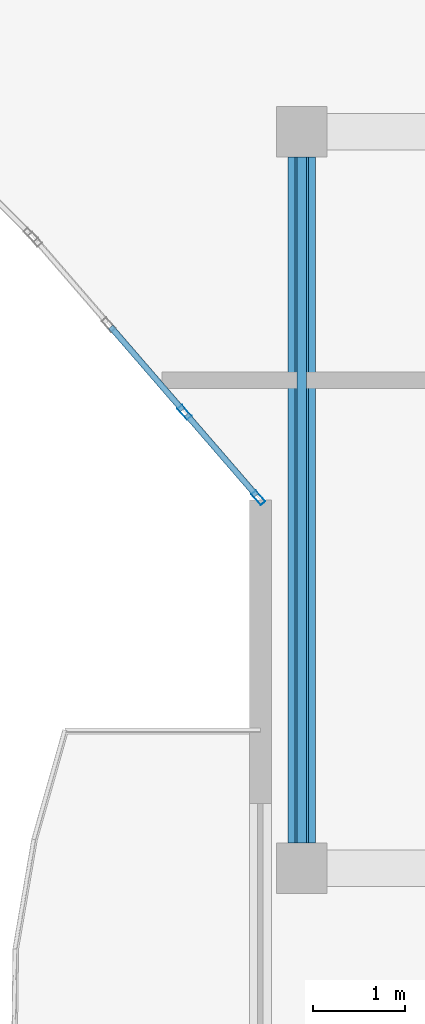
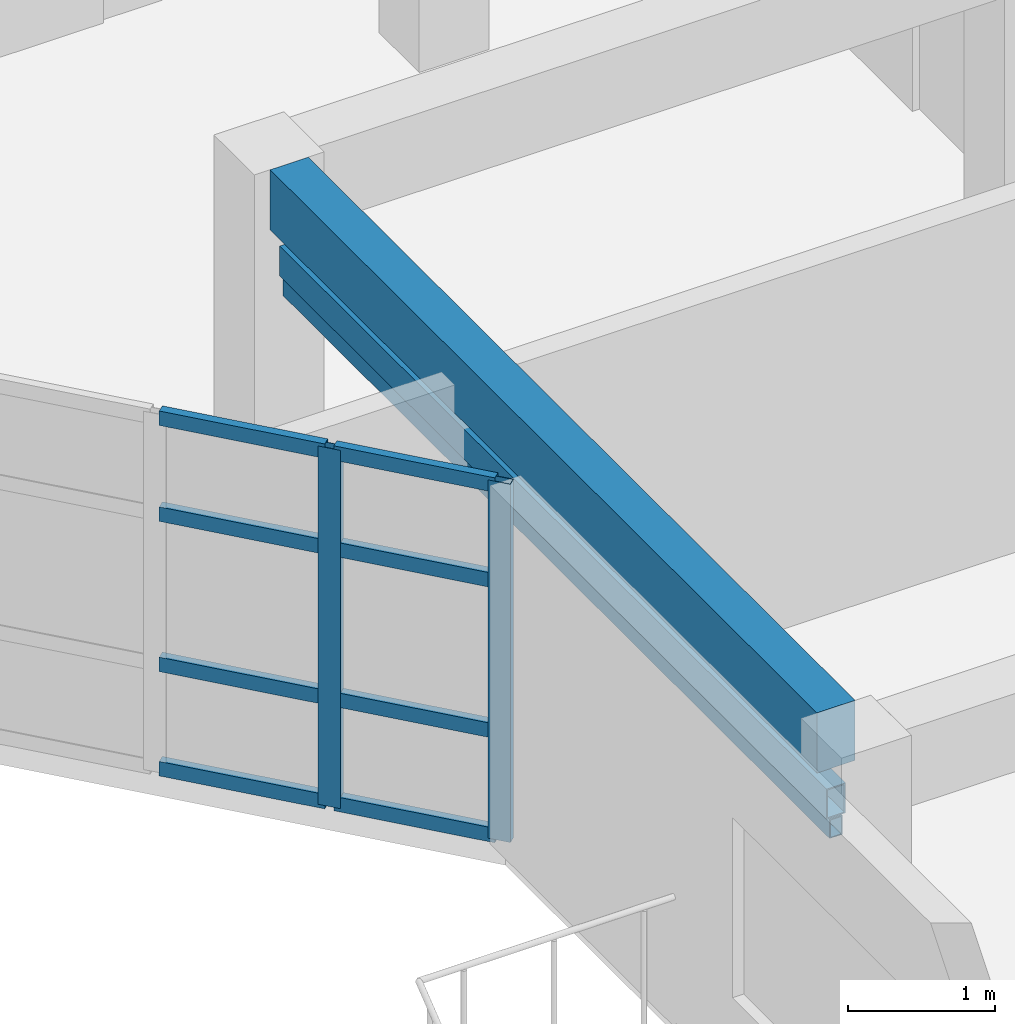
# One storey, part 11 of 68: 12 members, 1 beam, 1 element without a shape of its own.
"""IFC4 building model written with IfcOpenShell, lengths in metres."""

from ifc_helpers import new_model, si_unit, direction, frame, origin, origin_2d, place, context, subcontext, project, spatial, rectangle, hollow_rectangle, extrude, material, layer, layer_set, material_profile, profile_set, type_object, element, aggregate, save


model = new_model("IFC4")

# Units and contexts
model_context = context("Model", 3, precision=1e-05, world=origin(), true_north=direction((0.0, 1.0)))
body_context = subcontext(model_context, "Body", "Model", "MODEL_VIEW")
ifc_project = project(units=[si_unit("LENGTHUNIT", "METRE"), si_unit("AREAUNIT", "SQUARE_METRE"), si_unit("VOLUMEUNIT", "CUBIC_METRE"), si_unit("PLANEANGLEUNIT", "RADIAN"), si_unit("MASSUNIT", "GRAM", prefix="KILO")], contexts=[model_context])

# Site, building, storey
site_placement = place(None, origin())
site = spatial("IfcSite", under=ifc_project, at=site_placement, CompositionType="ELEMENT")
building_placement = place(site_placement, origin())
building = spatial("IfcBuilding", under=site, at=building_placement, Name="Keldmere Railside Commons", CompositionType="ELEMENT")
storey_placement = place(building_placement, frame((0.0, 0.0, 23.360107421875)))
storey = spatial("IfcBuildingStorey", under=building, at=storey_placement, Name="L07", CompositionType="ELEMENT", Elevation=23.360107421875)

# Member
ifc_material_1 = material(Name="Steel F-36 (S355)", Category="steel")
ifc_material_profile_1 = material_profile(ifc_material_1, hollow_rectangle(XDim=0.14990234375, YDim=0.25, WallThickness=0.010009765625, at=origin_2d()), Name="RHS-250x150x10")
ifc_profile_set_1 = profile_set([ifc_material_profile_1], Name="Steel F-36 (S355)")
member_type_1 = type_object("IfcMemberType", Name="Balcony Continuous Planted Trough RHS250x150", PredefinedType="CHORD", material=ifc_profile_set_1)
member_1_placement = place(storey_placement, frame((104.449951171875, 88.27490234375, 2.414794921875), z_axis=(0.0, 1.0, 0.0), x_axis=(-1.0, 0.0, 0.0)))
element("IfcMember", 1, at=member_1_placement, inside=storey, type_object=member_type_1, Name="PLT-1 MEM-BPLT-0827", PredefinedType="CHORD", context=body_context, shape_type="SweptSolid", body=[
    extrude(hollow_rectangle(XDim=0.14990234375, YDim=0.25, WallThickness=0.010009765625, at=origin_2d()), origin(), (0.0, 0.0, 1.0), 7.4501953125),
])

# Beam
ifc_material_2 = material(Name="Concrete H-30 (C30/37)", Category="concrete")
ifc_material_profile_2 = material_profile(ifc_material_2, rectangle(XDim=0.300048828125, YDim=0.5, at=origin_2d()), Name="RC-300x500")
ifc_profile_set_2 = profile_set([ifc_material_profile_2], Name="Concrete H-30 (C30/37)")
beam_type = type_object("IfcBeamType", Name="Secondary Frame RC Beam 300x500", PredefinedType="BEAM", material=ifc_profile_set_2)
beam_placement = place(storey_placement, frame((104.449951171875, 88.27490234375, 2.949951171875), z_axis=(0.0, 1.0, 0.0), x_axis=(-1.0, 0.0, 0.0)))
element("IfcBeam", 2, at=beam_placement, inside=storey, type_object=beam_type, Name="BG-5 BM-L07-2122", PredefinedType="BEAM", context=body_context, shape_type="SweptSolid", body=[
    extrude(rectangle(XDim=0.300048828125, YDim=0.5, at=origin_2d()), origin(), (0.0, 0.0, 1.0), 7.4501953125),
])

# Member
ifc_material_profile_3 = material_profile(ifc_material_1, hollow_rectangle(XDim=0.10009765625, YDim=0.159912109375, WallThickness=0.008056640625, at=origin_2d()), Name="RHS-160x100x8")
ifc_profile_set_3 = profile_set([ifc_material_profile_3], Name="Steel F-36 (S355)")
member_type_2 = type_object("IfcMemberType", Name="Solar Brise-Soleil Louvre Fin RHS160x100", PredefinedType="STRUT", material=ifc_profile_set_3)
member_2_placement = place(storey_placement, frame((104.449951171875, 88.27490234375, 2.199951171875), z_axis=(0.0, 1.0, 0.0), x_axis=(-1.0, 0.0, 0.0)))
element("IfcMember", 3, at=member_2_placement, inside=storey, type_object=member_type_2, Name="BSF-1 MEM-BSF-0828", PredefinedType="STRUT", context=body_context, shape_type="SweptSolid", body=[
    extrude(hollow_rectangle(XDim=0.10009765625, YDim=0.159912109375, WallThickness=0.008056640625, at=origin_2d()), origin(), (0.0, 0.0, 1.0), 7.4501953125),
])

# Curtain wall, members
ifc_material_3 = material(Name="Thermally Broken Aluminium", Category="aluminium")
ifc_layer = layer(ifc_material_3, 0.159912109375, Name="Court Chord Wintergarden CW 4800x2850")
ifc_layer_set = layer_set([ifc_layer], Name="Thermally Broken Aluminium")
curtain_wall_type = type_object("IfcCurtainWallType", Name="Court Chord Wintergarden CW 4800x2850", PredefinedType="NOTDEFINED", material=ifc_layer_set)
curtain_wall_placement = place(storey_placement, origin())
curtain_wall = element("IfcCurtainWall", 4, at=curtain_wall_placement, inside=storey, type_object=curtain_wall_type, Name="CW-12 CW-L07-132", PredefinedType="NOTDEFINED")
ifc_material_profile_4 = material_profile(ifc_material_3, hollow_rectangle(XDim=0.06494140625, YDim=0.159912109375, WallThickness=0.00390625, at=origin_2d()), Name="ALU-MULL-65x160")
ifc_profile_set_4 = profile_set([ifc_material_profile_4], Name="Thermally Broken Aluminium")
member_type_3 = type_object("IfcMemberType", Name="Unitised Curtain Wall Mullion 65x160", PredefinedType="MULLION", material=ifc_profile_set_4)
member_3_placement = place(storey_placement, frame((103.978759765625, 92.024658203125, 0.0), z_axis=(0.0, 0.0, 1.0), x_axis=(-0.756596767584, -0.653881741053, 0.0)))
member_3 = element("IfcMember", 5, at=member_3_placement, type_object=member_type_3, Name="CW-12 mullion 1", PredefinedType="MULLION", context=body_context, shape_type="SweptSolid", body=[
    extrude(hollow_rectangle(XDim=0.06494140625, YDim=0.159912109375, WallThickness=0.00390625, at=origin_2d()), origin(), (0.0, 0.0, 1.0), 2.97998046875),
])
member_4_placement = place(storey_placement, frame((103.1767578125, 92.95263671875, 0.0), z_axis=(0.0, 0.0, 1.0), x_axis=(-0.756596767584, -0.653881741053, 0.0)))
member_4 = element("IfcMember", 6, at=member_4_placement, type_object=member_type_3, Name="CW-12 mullion 2", PredefinedType="MULLION", context=body_context, shape_type="SweptSolid", body=[
    extrude(hollow_rectangle(XDim=0.06494140625, YDim=0.159912109375, WallThickness=0.00390625, at=origin_2d()), origin(), (0.0, 0.0, 1.0), 2.97998046875),
])
ifc_material_profile_5 = material_profile(ifc_material_3, hollow_rectangle(XDim=0.06494140625, YDim=0.1201171875, WallThickness=0.00390625, at=origin_2d()), Name="ALU-TRAN-65x120")
ifc_profile_set_5 = profile_set([ifc_material_profile_5], Name="Thermally Broken Aluminium")
member_type_4 = type_object("IfcMemberType", Name="Unitised Curtain Wall Transom 65x120", PredefinedType="USERDEFINED", material=ifc_profile_set_5)
member_5_placement = place(storey_placement, frame((103.95751953125, 92.049072265625, 0.032470703125), z_axis=(-0.653849663033, 0.756624489527, 0.0), x_axis=(-0.756624489527, -0.653849663033, 0.0)))
member_5 = element("IfcMember", 7, at=member_5_placement, type_object=member_type_4, Name="CW-12 transom 1.1", ObjectType="TRANSOM", PredefinedType="USERDEFINED", context=body_context, shape_type="SweptSolid", body=[
    extrude(hollow_rectangle(XDim=0.06494140625, YDim=0.1201171875, WallThickness=0.00390625, at=origin_2d()), origin(), (0.0, 0.0, 1.0), 1.16162109375),
])
member_6_placement = place(storey_placement, frame((103.95751953125, 92.049072265625, 0.89990234375), z_axis=(-0.653849663033, 0.756624489527, 0.0), x_axis=(-0.756624489527, -0.653849663033, 0.0)))
member_6 = element("IfcMember", 8, at=member_6_placement, type_object=member_type_4, Name="CW-12 transom 1.2", ObjectType="TRANSOM", PredefinedType="USERDEFINED", context=body_context, shape_type="SweptSolid", body=[
    extrude(hollow_rectangle(XDim=0.06494140625, YDim=0.1201171875, WallThickness=0.00390625, at=origin_2d()), origin(), (0.0, 0.0, 1.0), 1.16162109375),
])
member_7_placement = place(storey_placement, frame((103.95751953125, 92.049072265625, 2.14990234375), z_axis=(-0.653849663033, 0.756624489527, 0.0), x_axis=(-0.756624489527, -0.653849663033, 0.0)))
member_7 = element("IfcMember", 9, at=member_7_placement, type_object=member_type_4, Name="CW-12 transom 1.3", ObjectType="TRANSOM", PredefinedType="USERDEFINED", context=body_context, shape_type="SweptSolid", body=[
    extrude(hollow_rectangle(XDim=0.06494140625, YDim=0.1201171875, WallThickness=0.00390625, at=origin_2d()), origin(), (0.0, 0.0, 1.0), 1.16162109375),
])
member_8_placement = place(storey_placement, frame((103.95751953125, 92.049072265625, 2.947509765625), z_axis=(-0.653849663033, 0.756624489527, 0.0), x_axis=(-0.756624489527, -0.653849663033, 0.0)))
member_8 = element("IfcMember", 10, at=member_8_placement, type_object=member_type_4, Name="CW-12 transom 1.4", ObjectType="TRANSOM", PredefinedType="USERDEFINED", context=body_context, shape_type="SweptSolid", body=[
    extrude(hollow_rectangle(XDim=0.06494140625, YDim=0.1201171875, WallThickness=0.00390625, at=origin_2d()), origin(), (0.0, 0.0, 1.0), 1.16162109375),
])
member_9_placement = place(storey_placement, frame((103.155517578125, 92.977294921875, 0.032470703125), z_axis=(-0.653933819796, 0.756551755881, 0.0), x_axis=(-0.756551755881, -0.653933819796, 0.0)))
member_9 = element("IfcMember", 11, at=member_9_placement, type_object=member_type_4, Name="CW-12 transom 2.1", ObjectType="TRANSOM", PredefinedType="USERDEFINED", context=body_context, shape_type="SweptSolid", body=[
    extrude(hollow_rectangle(XDim=0.06494140625, YDim=0.1201171875, WallThickness=0.00390625, at=origin_2d()), origin(), (0.0, 0.0, 1.0), 1.1943359375),
])
member_10_placement = place(storey_placement, frame((103.155517578125, 92.977294921875, 0.89990234375), z_axis=(-0.653933819796, 0.756551755881, 0.0), x_axis=(-0.756551755881, -0.653933819796, 0.0)))
member_10 = element("IfcMember", 12, at=member_10_placement, type_object=member_type_4, Name="CW-12 transom 2.2", ObjectType="TRANSOM", PredefinedType="USERDEFINED", context=body_context, shape_type="SweptSolid", body=[
    extrude(hollow_rectangle(XDim=0.06494140625, YDim=0.1201171875, WallThickness=0.00390625, at=origin_2d()), origin(), (0.0, 0.0, 1.0), 1.1943359375),
])
member_11_placement = place(storey_placement, frame((103.155517578125, 92.977294921875, 2.14990234375), z_axis=(-0.653933819796, 0.756551755881, 0.0), x_axis=(-0.756551755881, -0.653933819796, 0.0)))
member_11 = element("IfcMember", 13, at=member_11_placement, type_object=member_type_4, Name="CW-12 transom 2.3", ObjectType="TRANSOM", PredefinedType="USERDEFINED", context=body_context, shape_type="SweptSolid", body=[
    extrude(hollow_rectangle(XDim=0.06494140625, YDim=0.1201171875, WallThickness=0.00390625, at=origin_2d()), origin(), (0.0, 0.0, 1.0), 1.1943359375),
])
member_12_placement = place(storey_placement, frame((103.155517578125, 92.977294921875, 2.947509765625), z_axis=(-0.653933819796, 0.756551755881, 0.0), x_axis=(-0.756551755881, -0.653933819796, 0.0)))
member_12 = element("IfcMember", 14, at=member_12_placement, type_object=member_type_4, Name="CW-12 transom 2.4", ObjectType="TRANSOM", PredefinedType="USERDEFINED", context=body_context, shape_type="SweptSolid", body=[
    extrude(hollow_rectangle(XDim=0.06494140625, YDim=0.1201171875, WallThickness=0.00390625, at=origin_2d()), origin(), (0.0, 0.0, 1.0), 1.1943359375),
])
aggregate(curtain_wall, [member_3, member_4, member_5, member_6, member_7, member_8, member_9, member_10, member_11, member_12])

save(model, "model.ifc")
